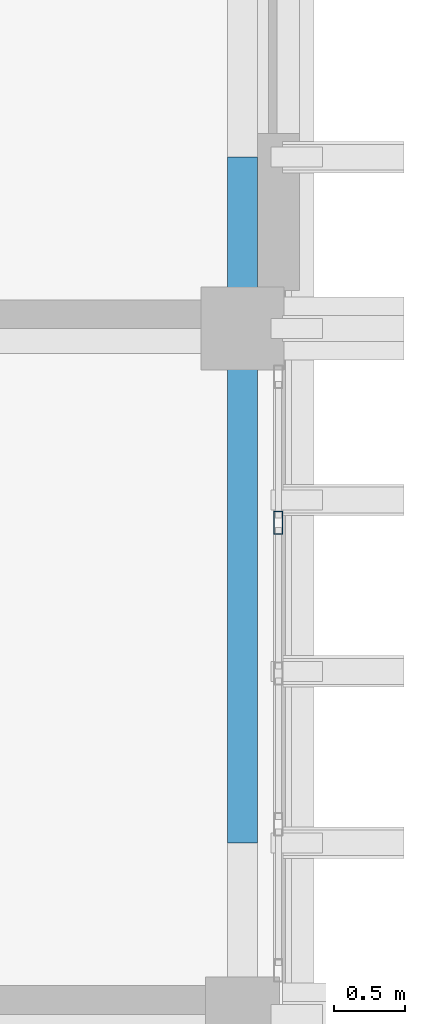
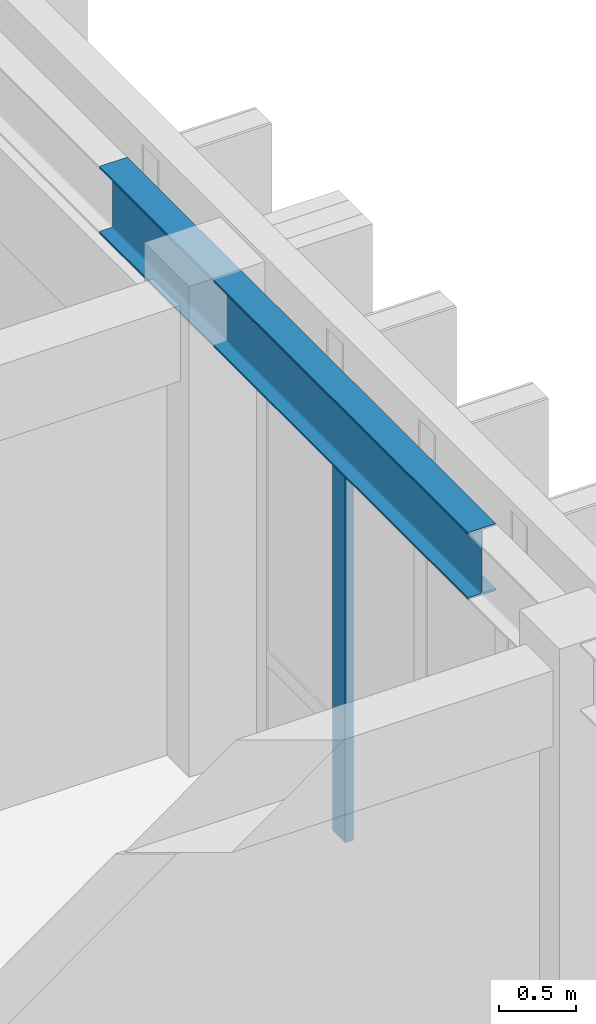
# One storey, part 24 of 49: 1 beam, 1 member, 1 element without a shape of its own.
"""IFC4 building model written with IfcOpenShell, lengths in metres."""

from ifc_helpers import new_model, si_unit, direction, frame, origin, origin_2d, place, context, subcontext, project, spatial, hollow_rectangle, i_section, extrude, material, layer, layer_set, material_profile, profile_set, type_object, element, aggregate, save


model = new_model("IFC4")

# Units and contexts
model_context = context("Model", 3, precision=1e-05, world=origin(), true_north=direction((0.0, 1.0)))
body_context = subcontext(model_context, "Body", "Model", "MODEL_VIEW")
ifc_project = project(units=[si_unit("LENGTHUNIT", "METRE"), si_unit("AREAUNIT", "SQUARE_METRE"), si_unit("VOLUMEUNIT", "CUBIC_METRE"), si_unit("PLANEANGLEUNIT", "RADIAN"), si_unit("MASSUNIT", "GRAM", prefix="KILO")], contexts=[model_context])

# Site, building, storey
site_placement = place(None, origin())
site = spatial("IfcSite", under=ifc_project, at=site_placement, CompositionType="ELEMENT")
building_placement = place(site_placement, origin())
building = spatial("IfcBuilding", under=site, at=building_placement, Name="Nakhvara Creek Congress Hotel", CompositionType="ELEMENT")
storey_placement = place(building_placement, frame((0.0, 0.0, 46.5)))
storey = spatial("IfcBuildingStorey", under=building, at=storey_placement, Name="L11", CompositionType="ELEMENT", Elevation=46.5)

# Beam
ifc_material_1 = material(Name="Steel S355J2", Category="steel")
ifc_material_profile_1 = material_profile(ifc_material_1, i_section(OverallWidth=0.209228515625, OverallDepth=0.533203125, WebThickness=0.010009765625, FlangeThickness=0.015625, FilletRadius=0.0126953125, at=origin_2d()), Name="UB 533x210x92", Category="LoadBearing")
ifc_profile_set_1 = profile_set([ifc_material_profile_1], Name="Steel S355J2")
beam_type = type_object("IfcBeamType", Name="BM-ST-UB533", PredefinedType="BEAM", material=ifc_profile_set_1)
beam_placement = place(storey_placement, frame((179.35009765625, 102.0, 3.6201171875), z_axis=(0.0, 1.0, 0.0), x_axis=(-1.0, 0.0, 0.0)))
element("IfcBeam", 1, at=beam_placement, inside=storey, type_object=beam_type, Name="Hotel Gable Eave Beam E-07", PredefinedType="BEAM", context=body_context, shape_type="SweptSolid", body=[
    extrude(i_section(OverallWidth=0.209228515625, OverallDepth=0.533203125, WebThickness=0.010009765625, FlangeThickness=0.015625, FilletRadius=0.0126953125, at=origin_2d()), origin(), (0.0, 0.0, 1.0), 4.800048828125),
])

# Curtain wall, member
ifc_material_2 = material(Name="Bronze-anodised aluminium AW-6063-T6 and double-silver low-E glass", Category="aluminium")
ifc_layer = layer(ifc_material_2, 0.199951171875)
ifc_layer_set = layer_set([ifc_layer], Name="Bronze-anodised aluminium AW-6063-T6 and double-silver low-E glass")
curtain_wall_type = type_object("IfcCurtainWallType", Name="CW-HTL-UNIT", PredefinedType="USERDEFINED", material=ifc_layer_set)
curtain_wall_placement = place(storey_placement, origin())
curtain_wall = element("IfcCurtainWall", 2, at=curtain_wall_placement, inside=storey, type_object=curtain_wall_type, Name="Curtain Wall CW342", ObjectType="UNITISED", PredefinedType="USERDEFINED")
ifc_material_3 = material(Name="Bronze-anodised aluminium AW-6063-T6", Category="aluminium")
ifc_material_profile_2 = material_profile(ifc_material_3, hollow_rectangle(XDim=0.06494140625, YDim=0.159912109375, WallThickness=0.00390625, at=origin_2d()), Name="ALU-MULL 65x160x4", Category="LoadBearing")
ifc_profile_set_2 = profile_set([ifc_material_profile_2], Name="Bronze-anodised aluminium AW-6063-T6")
member_type = type_object("IfcMemberType", Name="CW-MULL-160", PredefinedType="MULLION", material=ifc_profile_set_2)
member_placement = place(storey_placement, frame((179.60009765625, 104.239990234375, 0.0), z_axis=(0.0, 0.0, 1.0), x_axis=(1.0, 0.0, 0.0)))
member = element("IfcMember", 3, at=member_placement, type_object=member_type, Name="CW342 mullion 2", PredefinedType="MULLION", context=body_context, shape_type="SweptSolid", body=[
    extrude(hollow_rectangle(XDim=0.06494140625, YDim=0.159912109375, WallThickness=0.00390625, at=origin_2d()), origin(), (0.0, 0.0, 1.0), 3.072021484375),
])
aggregate(curtain_wall, [member])

save(model, "model.ifc")
